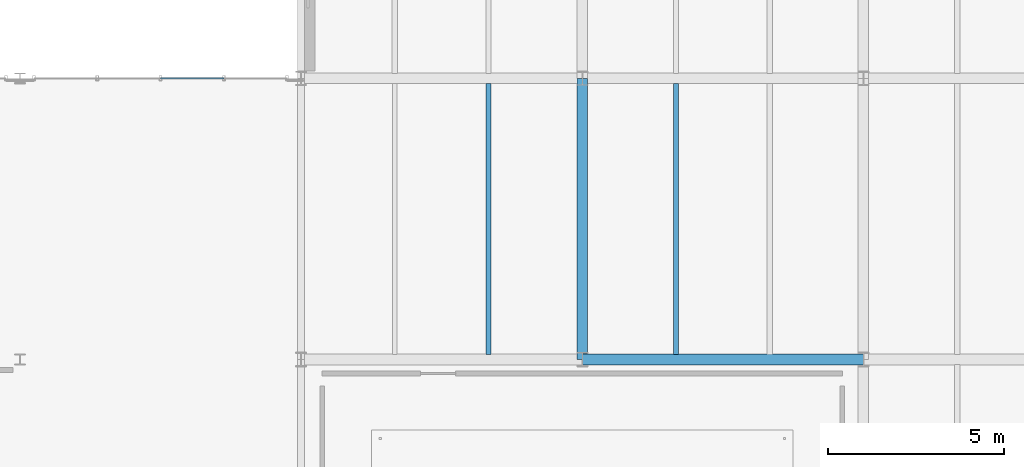
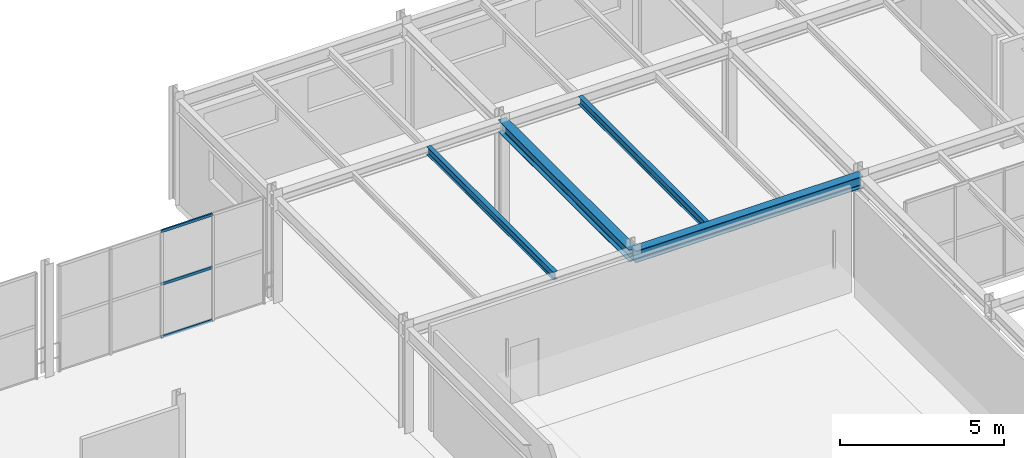
# One storey, part 23 of 67: 4 beams, 3 members, 1 element without a shape of its own.
"""IFC4 building model written with IfcOpenShell, lengths in metres."""

from ifc_helpers import new_model, si_unit, direction, frame, origin, origin_2d, place, context, subcontext, project, spatial, hollow_rectangle, i_section, extrude, material, material_profile, profile_set, type_object, element, aggregate, save


model = new_model("IFC4")

# Units and contexts
model_context = context("Model", 3, precision=1e-05, world=origin(), true_north=direction((0.0, 1.0)))
body_context = subcontext(model_context, "Body", "Model", "MODEL_VIEW")
ifc_project = project(units=[si_unit("LENGTHUNIT", "METRE"), si_unit("AREAUNIT", "SQUARE_METRE"), si_unit("VOLUMEUNIT", "CUBIC_METRE"), si_unit("PLANEANGLEUNIT", "RADIAN"), si_unit("MASSUNIT", "GRAM", prefix="KILO")], contexts=[model_context])

# Site, building, storey
site_placement = place(None, origin())
site = spatial("IfcSite", under=ifc_project, at=site_placement, CompositionType="ELEMENT")
building_placement = place(site_placement, origin())
building = spatial("IfcBuilding", under=site, at=building_placement, Name="Sundkrona Museum", CompositionType="ELEMENT")
storey_placement = place(building_placement, frame((0.0, 0.0, 21.800048828125)))
storey = spatial("IfcBuildingStorey", under=building, at=storey_placement, Name="L04", CompositionType="ELEMENT", Elevation=21.800048828125)

# Beams
ifc_material_1 = material(Name="Steel S355J2", Category="steel")
ifc_material_profile_1 = material_profile(ifc_material_1, i_section(OverallWidth=0.300048828125, OverallDepth=0.43994140625, WebThickness=0.011474609375, FlangeThickness=0.02099609375, FilletRadius=0.027099609375, at=origin_2d()), Name="HEA 450")
ifc_profile_set_1 = profile_set([ifc_material_profile_1], Name="Steel S355J2")
beam_type_1 = type_object("IfcBeamType", Name="B-HEA450", PredefinedType="BEAM", material=ifc_profile_set_1)
for number, where, z_axis, x_axis, name in (
    (1, (128.0, 32.0, 3.699951171875), (1.0, 0.0, 0.0), (0.0, 1.0, 0.0), "L04 Girder X-1723"),
    (2, (128.0, 32.0, 3.699951171875), (0.0, 1.0, 0.0), (-1.0, 0.0, 0.0), "L04 Girder Y-1746"),
):
    element("IfcBeam", number, at=place(storey_placement, frame(where, z_axis=z_axis, x_axis=x_axis)), inside=storey, type_object=beam_type_1, Name=name, PredefinedType="BEAM", context=body_context, shape_type="SweptSolid", body=[
        extrude(i_section(OverallWidth=0.300048828125, OverallDepth=0.43994140625, WebThickness=0.011474609375, FlangeThickness=0.02099609375, FilletRadius=0.027099609375, at=origin_2d()), origin(), (0.0, 0.0, 1.0), 8.0),
    ])
ifc_material_profile_2 = material_profile(ifc_material_1, i_section(OverallWidth=0.14990234375, OverallDepth=0.300048828125, WebThickness=0.007080078125, FlangeThickness=0.0107421875, FilletRadius=0.014892578125, at=origin_2d()), Name="IPE 300")
ifc_profile_set_2 = profile_set([ifc_material_profile_2], Name="Steel S355J2")
beam_type_2 = type_object("IfcBeamType", Name="J-IPE300", PredefinedType="JOIST", material=ifc_profile_set_2)
for number, where, z_axis, x_axis, name in (
    (3, (125.333251953125, 32.14404296875, 3.77001953125), (0.0, 1.0, 0.0), (-1.0, 0.0, 0.0), "L04 Composite Joist 1186"),
    (4, (130.666748046875, 32.14404296875, 3.77001953125), (0.0, 1.0, 0.0), (-1.0, 0.0, 0.0), "L04 Composite Joist 1193"),
):
    element("IfcBeam", number, at=place(storey_placement, frame(where, z_axis=z_axis, x_axis=x_axis)), inside=storey, type_object=beam_type_2, Name=name, PredefinedType="JOIST", context=body_context, shape_type="SweptSolid", body=[
        extrude(i_section(OverallWidth=0.14990234375, OverallDepth=0.300048828125, WebThickness=0.007080078125, FlangeThickness=0.0107421875, FilletRadius=0.014892578125, at=origin_2d()), origin(), (0.0, 0.0, 1.0), 7.7119140625),
    ])

# Curtain wall, members
ifc_material_2 = material(Name="Unitised Aluminium-Steel and Ceramic-Clad Curtain Walling", Category="steel")
curtain_wall_type = type_object("IfcCurtainWallType", Name="CW-AT-72x38", PredefinedType="NOTDEFINED", material=ifc_material_2)
curtain_wall_placement = place(storey_placement, origin())
curtain_wall = element("IfcCurtainWall", 5, at=curtain_wall_placement, inside=storey, type_object=curtain_wall_type, Name="L04 Curtain Wall CW-L04-091", PredefinedType="NOTDEFINED")
ifc_material_3 = material(Name="Aluminium EN AW-6060 T66", Category="aluminium")
ifc_material_profile_3 = material_profile(ifc_material_3, hollow_rectangle(XDim=0.050048828125, YDim=0.10009765625, WallThickness=0.0048828125, at=origin_2d()), Name="RHS 100x50x5.0")
ifc_profile_set_3 = profile_set([ifc_material_profile_3], Name="Aluminium EN AW-6060 T66")
member_type = type_object("IfcMemberType", Name="TR-100", PredefinedType="USERDEFINED", material=ifc_profile_set_3)
member_1_placement = place(storey_placement, frame((116.0, 40.0, -0.004150390625), z_axis=(1.0, 0.0, 0.0), x_axis=(0.0, 1.0, 0.0)))
member_1 = element("IfcMember", 6, at=member_1_placement, type_object=member_type, Name="CW-L04-091 Transom 07", ObjectType="TRANSOM", PredefinedType="USERDEFINED", context=body_context, shape_type="SweptSolid", body=[
    extrude(hollow_rectangle(XDim=0.050048828125, YDim=0.10009765625, WallThickness=0.0048828125, at=origin_2d()), origin(), (0.0, 0.0, 1.0), 1.800048828125),
])
member_2_placement = place(storey_placement, frame((116.0, 40.0, 1.9599609375), z_axis=(1.0, 0.0, 0.0), x_axis=(0.0, 1.0, 0.0)))
member_2 = element("IfcMember", 7, at=member_2_placement, type_object=member_type, Name="CW-L04-091 Transom 08", ObjectType="TRANSOM", PredefinedType="USERDEFINED", context=body_context, shape_type="SweptSolid", body=[
    extrude(hollow_rectangle(XDim=0.050048828125, YDim=0.10009765625, WallThickness=0.0048828125, at=origin_2d()), origin(), (0.0, 0.0, 1.0), 1.800048828125),
])
member_3_placement = place(storey_placement, frame((116.0, 40.0, 3.924072265625), z_axis=(1.0, 0.0, 0.0), x_axis=(0.0, 1.0, 0.0)))
member_3 = element("IfcMember", 8, at=member_3_placement, type_object=member_type, Name="CW-L04-091 Transom 09", ObjectType="TRANSOM", PredefinedType="USERDEFINED", context=body_context, shape_type="SweptSolid", body=[
    extrude(hollow_rectangle(XDim=0.050048828125, YDim=0.10009765625, WallThickness=0.0048828125, at=origin_2d()), origin(), (0.0, 0.0, 1.0), 1.800048828125),
])
aggregate(curtain_wall, [member_1, member_2, member_3])

save(model, "model.ifc")
